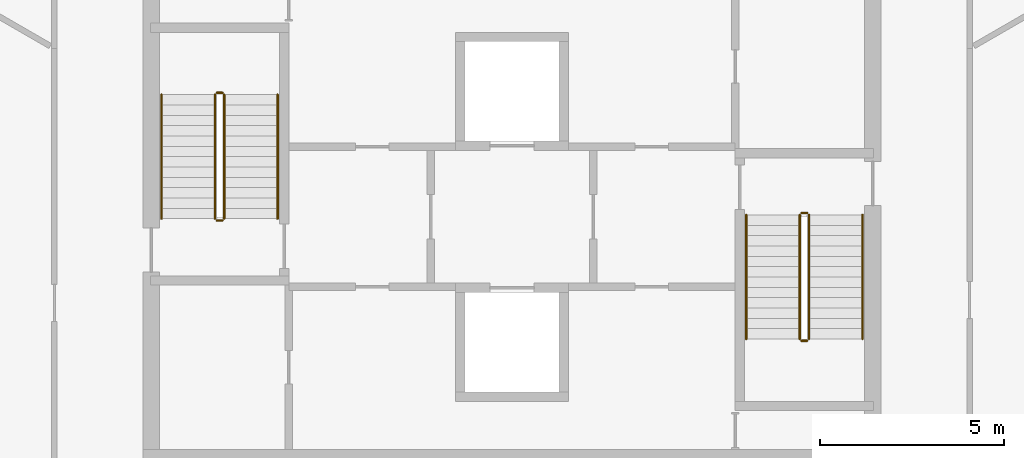
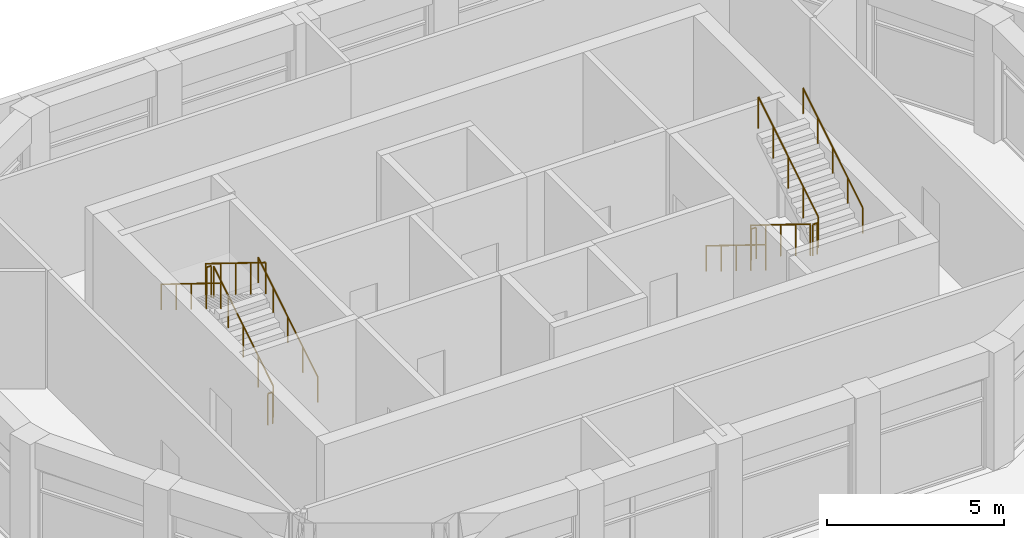
# One storey, part 8 of 8: 12 railings.
"""IFC4 building model written with IfcOpenShell, lengths in metres."""

from ifc_helpers import new_model, si_unit, direction, frame, origin, origin_2d, place, context, subcontext, project, spatial, circle, extrude, material, type_object, element, save


model = new_model("IFC4")

# Units and contexts
model_context = context("Model", 3, precision=1e-05, world=origin(), true_north=direction((0.0, 1.0)))
body_context = subcontext(model_context, "Body", "Model", "MODEL_VIEW")
ifc_project = project(units=[si_unit("LENGTHUNIT", "METRE"), si_unit("AREAUNIT", "SQUARE_METRE"), si_unit("VOLUMEUNIT", "CUBIC_METRE"), si_unit("PLANEANGLEUNIT", "RADIAN"), si_unit("MASSUNIT", "GRAM", prefix="KILO")], contexts=[model_context])

# Site, building, storey
site_placement = place(None, origin())
site = spatial("IfcSite", under=ifc_project, at=site_placement, CompositionType="ELEMENT")
building_placement = place(site_placement, origin())
building = spatial("IfcBuilding", under=site, at=building_placement, Name="Dhurran Vertical Campus", CompositionType="ELEMENT")
storey_placement = place(building_placement, frame((0.0, 0.0, 323.39990234375)))
storey = spatial("IfcBuildingStorey", under=building, at=storey_placement, Name="L79 Plant", CompositionType="ELEMENT", Elevation=323.39990234375)

# Railings
ifc_material_1 = material(Name="Stainless steel balustrade", Category="steel")
railing_type_1 = type_object("IfcRailingType", Name="co-RL-GUARD-1100", PredefinedType="GUARDRAIL", material=ifc_material_1)
railing_1_placement = place(storey_placement, frame((-7.800048828125, -0.050048828125, 0.173095703125)))
element("IfcRailing", 1, at=railing_1_placement, inside=storey, type_object=railing_type_1, Name="L79 Plant ST5 stair guard 1", PredefinedType="GUARDRAIL", context=body_context, shape_type="SweptSolid", body=[
    extrude(circle(Radius=0.02392578125, at=origin_2d()), frame((0.0, 0.0, 1.076171875), z_axis=(0.0, 0.850623216509, 0.525775754039), x_axis=(-1.0, 0.0, 0.0)), (0.0, 0.0, 1.0), 3.9501953125),
    extrude(circle(Radius=0.02099609375, at=origin_2d()), origin(), (0.0, 0.0, 1.0), 1.052001953125),
    extrude(circle(Radius=0.02099609375, at=origin_2d()), frame((0.0, 0.840087890625, 0.519287109375)), (0.0, 0.0, 1.0), 1.052001953125),
    extrude(circle(Radius=0.02099609375, at=origin_2d()), frame((0.0, 1.68017578125, 1.03857421875)), (0.0, 0.0, 1.0), 1.052001953125),
    extrude(circle(Radius=0.02099609375, at=origin_2d()), frame((0.0, 2.52001953125, 1.5576171875)), (0.0, 0.0, 1.0), 1.052001953125),
    extrude(circle(Radius=0.02099609375, at=origin_2d()), frame((0.0, 3.360107421875, 2.076904296875)), (0.0, 0.0, 1.0), 1.052001953125),
])
railing_2_placement = place(storey_placement, frame((-7.85009765625, 3.360107421875, 2.25)))
element("IfcRailing", 2, at=railing_2_placement, inside=storey, type_object=railing_type_1, Name="L79 Plant ST5 stair guard 2", PredefinedType="GUARDRAIL", context=body_context, shape_type="SweptSolid", body=[
    extrude(circle(Radius=0.02392578125, at=origin_2d()), frame((0.0, 0.0, 1.076171875), z_axis=(-1.0, 0.0, 0.0), x_axis=(0.0, -1.0, 0.0)), (0.0, 0.0, 1.0), 0.14990234375),
    extrude(circle(Radius=0.02099609375, at=origin_2d()), origin(), (0.0, 0.0, 1.0), 1.052001953125),
    extrude(circle(Radius=0.02099609375, at=origin_2d()), frame((-0.14990234375, 0.0, 0.0)), (0.0, 0.0, 1.0), 1.052001953125),
])
railing_3_placement = place(storey_placement, frame((-8.050048828125, 3.31005859375, 2.423095703125)))
element("IfcRailing", 3, at=railing_3_placement, inside=storey, type_object=railing_type_1, Name="L79 Plant ST5 stair guard 3", PredefinedType="GUARDRAIL", context=body_context, shape_type="SweptSolid", body=[
    extrude(circle(Radius=0.02392578125, at=origin_2d()), frame((0.0, 0.0, 1.076171875), z_axis=(0.0, -0.850623216509, 0.525775754039), x_axis=(1.0, 0.0, 0.0)), (0.0, 0.0, 1.0), 3.9501953125),
    extrude(circle(Radius=0.02099609375, at=origin_2d()), origin(), (0.0, 0.0, 1.0), 1.052001953125),
    extrude(circle(Radius=0.02099609375, at=origin_2d()), frame((0.0, -0.840087890625, 0.519287109375)), (0.0, 0.0, 1.0), 1.052001953125),
    extrude(circle(Radius=0.02099609375, at=origin_2d()), frame((0.0, -1.68017578125, 1.03857421875)), (0.0, 0.0, 1.0), 1.052001953125),
    extrude(circle(Radius=0.02099609375, at=origin_2d()), frame((0.0, -2.52001953125, 1.5576171875)), (0.0, 0.0, 1.0), 1.052001953125),
    extrude(circle(Radius=0.02099609375, at=origin_2d()), frame((0.0, -3.360107421875, 2.076904296875)), (0.0, 0.0, 1.0), 1.052001953125),
])
railing_4_placement = place(storey_placement, frame((-7.85009765625, -0.10009765625, 0.0)))
element("IfcRailing", 4, at=railing_4_placement, inside=storey, type_object=railing_type_1, Name="L79 Plant ST5 stair guard 4", PredefinedType="GUARDRAIL", context=body_context, shape_type="SweptSolid", body=[
    extrude(circle(Radius=0.02392578125, at=origin_2d()), frame((0.0, 0.0, 1.076171875), z_axis=(-1.0, 0.0, 0.0), x_axis=(0.0, -1.0, 0.0)), (0.0, 0.0, 1.0), 0.14990234375),
    extrude(circle(Radius=0.02099609375, at=origin_2d()), origin(), (0.0, 0.0, 1.0), 1.052001953125),
    extrude(circle(Radius=0.02099609375, at=origin_2d()), frame((-0.14990234375, 0.0, 0.0)), (0.0, 0.0, 1.0), 1.052001953125),
])
railing_5_placement = place(storey_placement, frame((7.800048828125, 0.050048828125, 0.173095703125)))
element("IfcRailing", 5, at=railing_5_placement, inside=storey, type_object=railing_type_1, Name="L79 Plant ST6 stair guard 1", PredefinedType="GUARDRAIL", context=body_context, shape_type="SweptSolid", body=[
    extrude(circle(Radius=0.02392578125, at=origin_2d()), frame((0.0, 0.0, 1.076171875), z_axis=(0.0, -0.850623216509, 0.525775754039), x_axis=(1.0, 0.0, 0.0)), (0.0, 0.0, 1.0), 3.9501953125),
    extrude(circle(Radius=0.02099609375, at=origin_2d()), origin(), (0.0, 0.0, 1.0), 1.052001953125),
    extrude(circle(Radius=0.02099609375, at=origin_2d()), frame((0.0, -0.840087890625, 0.519287109375)), (0.0, 0.0, 1.0), 1.052001953125),
    extrude(circle(Radius=0.02099609375, at=origin_2d()), frame((0.0, -1.68017578125, 1.03857421875)), (0.0, 0.0, 1.0), 1.052001953125),
    extrude(circle(Radius=0.02099609375, at=origin_2d()), frame((0.0, -2.52001953125, 1.5576171875)), (0.0, 0.0, 1.0), 1.052001953125),
    extrude(circle(Radius=0.02099609375, at=origin_2d()), frame((0.0, -3.360107421875, 2.076904296875)), (0.0, 0.0, 1.0), 1.052001953125),
])
railing_6_placement = place(storey_placement, frame((7.85009765625, -3.360107421875, 2.25)))
element("IfcRailing", 6, at=railing_6_placement, inside=storey, type_object=railing_type_1, Name="L79 Plant ST6 stair guard 2", PredefinedType="GUARDRAIL", context=body_context, shape_type="SweptSolid", body=[
    extrude(circle(Radius=0.02392578125, at=origin_2d()), frame((0.0, 0.0, 1.076171875), z_axis=(1.0, 0.0, 0.0), x_axis=(0.0, 1.0, 0.0)), (0.0, 0.0, 1.0), 0.14990234375),
    extrude(circle(Radius=0.02099609375, at=origin_2d()), origin(), (0.0, 0.0, 1.0), 1.052001953125),
    extrude(circle(Radius=0.02099609375, at=origin_2d()), frame((0.14990234375, 0.0, 0.0)), (0.0, 0.0, 1.0), 1.052001953125),
])
railing_7_placement = place(storey_placement, frame((8.050048828125, -3.31005859375, 2.423095703125)))
element("IfcRailing", 7, at=railing_7_placement, inside=storey, type_object=railing_type_1, Name="L79 Plant ST6 stair guard 3", PredefinedType="GUARDRAIL", context=body_context, shape_type="SweptSolid", body=[
    extrude(circle(Radius=0.02392578125, at=origin_2d()), frame((0.0, 0.0, 1.076171875), z_axis=(0.0, 0.850623216509, 0.525775754039), x_axis=(-1.0, 0.0, 0.0)), (0.0, 0.0, 1.0), 3.9501953125),
    extrude(circle(Radius=0.02099609375, at=origin_2d()), origin(), (0.0, 0.0, 1.0), 1.052001953125),
    extrude(circle(Radius=0.02099609375, at=origin_2d()), frame((0.0, 0.840087890625, 0.519287109375)), (0.0, 0.0, 1.0), 1.052001953125),
    extrude(circle(Radius=0.02099609375, at=origin_2d()), frame((0.0, 1.68017578125, 1.03857421875)), (0.0, 0.0, 1.0), 1.052001953125),
    extrude(circle(Radius=0.02099609375, at=origin_2d()), frame((0.0, 2.52001953125, 1.5576171875)), (0.0, 0.0, 1.0), 1.052001953125),
    extrude(circle(Radius=0.02099609375, at=origin_2d()), frame((0.0, 3.360107421875, 2.076904296875)), (0.0, 0.0, 1.0), 1.052001953125),
])
railing_8_placement = place(storey_placement, frame((7.85009765625, 0.10009765625, 0.0)))
element("IfcRailing", 8, at=railing_8_placement, inside=storey, type_object=railing_type_1, Name="L79 Plant ST6 stair guard 4", PredefinedType="GUARDRAIL", context=body_context, shape_type="SweptSolid", body=[
    extrude(circle(Radius=0.02392578125, at=origin_2d()), frame((0.0, 0.0, 1.076171875), z_axis=(1.0, 0.0, 0.0), x_axis=(0.0, 1.0, 0.0)), (0.0, 0.0, 1.0), 0.14990234375),
    extrude(circle(Radius=0.02099609375, at=origin_2d()), origin(), (0.0, 0.0, 1.0), 1.052001953125),
    extrude(circle(Radius=0.02099609375, at=origin_2d()), frame((0.14990234375, 0.0, 0.0)), (0.0, 0.0, 1.0), 1.052001953125),
])
ifc_material_2 = material(Name="Stainless steel handrail", Category="steel")
railing_type_2 = type_object("IfcRailingType", Name="co-RL-HANDRAIL-900", PredefinedType="HANDRAIL", material=ifc_material_2)
railing_9_placement = place(storey_placement, frame((-6.35009765625, -0.050048828125, 0.173095703125)))
element("IfcRailing", 9, at=railing_9_placement, inside=storey, type_object=railing_type_2, Name="L79 Plant ST5 stair handrail 1", PredefinedType="HANDRAIL", context=body_context, shape_type="SweptSolid", body=[
    extrude(circle(Radius=0.02392578125, at=origin_2d()), frame((0.0, 0.0, 0.8759765625), z_axis=(0.0, 0.850623216509, 0.525775754039), x_axis=(-1.0, 0.0, 0.0)), (0.0, 0.0, 1.0), 3.9501953125),
    extrude(circle(Radius=0.02099609375, at=origin_2d()), origin(), (0.0, 0.0, 1.0), 0.851806640625),
    extrude(circle(Radius=0.02099609375, at=origin_2d()), frame((0.0, 0.840087890625, 0.519287109375)), (0.0, 0.0, 1.0), 0.851806640625),
    extrude(circle(Radius=0.02099609375, at=origin_2d()), frame((0.0, 1.68017578125, 1.03857421875)), (0.0, 0.0, 1.0), 0.851806640625),
    extrude(circle(Radius=0.02099609375, at=origin_2d()), frame((0.0, 2.52001953125, 1.5576171875)), (0.0, 0.0, 1.0), 0.851806640625),
    extrude(circle(Radius=0.02099609375, at=origin_2d()), frame((0.0, 3.360107421875, 2.076904296875)), (0.0, 0.0, 1.0), 0.851806640625),
])
for number, where, name in (
    (10, (-9.5, 3.31005859375, 2.423095703125), "L79 Plant ST5 stair handrail 2"),
    (11, (6.35009765625, 0.050048828125, 0.173095703125), "L79 Plant ST6 stair handrail 1"),
):
    element("IfcRailing", number, at=place(storey_placement, frame(where)), inside=storey, type_object=railing_type_2, Name=name, PredefinedType="HANDRAIL", context=body_context, shape_type="SweptSolid", body=[
        extrude(circle(Radius=0.02392578125, at=origin_2d()), frame((0.0, 0.0, 0.8759765625), z_axis=(0.0, -0.850623216509, 0.525775754039), x_axis=(1.0, 0.0, 0.0)), (0.0, 0.0, 1.0), 3.9501953125),
        extrude(circle(Radius=0.02099609375, at=origin_2d()), origin(), (0.0, 0.0, 1.0), 0.851806640625),
        extrude(circle(Radius=0.02099609375, at=origin_2d()), frame((0.0, -0.840087890625, 0.519287109375)), (0.0, 0.0, 1.0), 0.851806640625),
        extrude(circle(Radius=0.02099609375, at=origin_2d()), frame((0.0, -1.68017578125, 1.03857421875)), (0.0, 0.0, 1.0), 0.851806640625),
        extrude(circle(Radius=0.02099609375, at=origin_2d()), frame((0.0, -2.52001953125, 1.5576171875)), (0.0, 0.0, 1.0), 0.851806640625),
        extrude(circle(Radius=0.02099609375, at=origin_2d()), frame((0.0, -3.360107421875, 2.076904296875)), (0.0, 0.0, 1.0), 0.851806640625),
    ])
railing_10_placement = place(storey_placement, frame((9.5, -3.31005859375, 2.423095703125)))
element("IfcRailing", 12, at=railing_10_placement, inside=storey, type_object=railing_type_2, Name="L79 Plant ST6 stair handrail 2", PredefinedType="HANDRAIL", context=body_context, shape_type="SweptSolid", body=[
    extrude(circle(Radius=0.02392578125, at=origin_2d()), frame((0.0, 0.0, 0.8759765625), z_axis=(0.0, 0.850623216509, 0.525775754039), x_axis=(-1.0, 0.0, 0.0)), (0.0, 0.0, 1.0), 3.9501953125),
    extrude(circle(Radius=0.02099609375, at=origin_2d()), origin(), (0.0, 0.0, 1.0), 0.851806640625),
    extrude(circle(Radius=0.02099609375, at=origin_2d()), frame((0.0, 0.840087890625, 0.519287109375)), (0.0, 0.0, 1.0), 0.851806640625),
    extrude(circle(Radius=0.02099609375, at=origin_2d()), frame((0.0, 1.68017578125, 1.03857421875)), (0.0, 0.0, 1.0), 0.851806640625),
    extrude(circle(Radius=0.02099609375, at=origin_2d()), frame((0.0, 2.52001953125, 1.5576171875)), (0.0, 0.0, 1.0), 0.851806640625),
    extrude(circle(Radius=0.02099609375, at=origin_2d()), frame((0.0, 3.360107421875, 2.076904296875)), (0.0, 0.0, 1.0), 0.851806640625),
])

save(model, "model.ifc")
